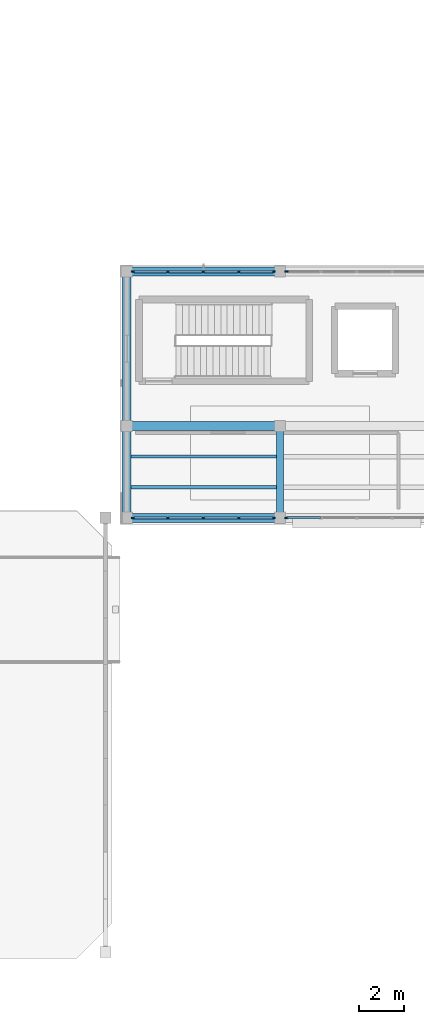
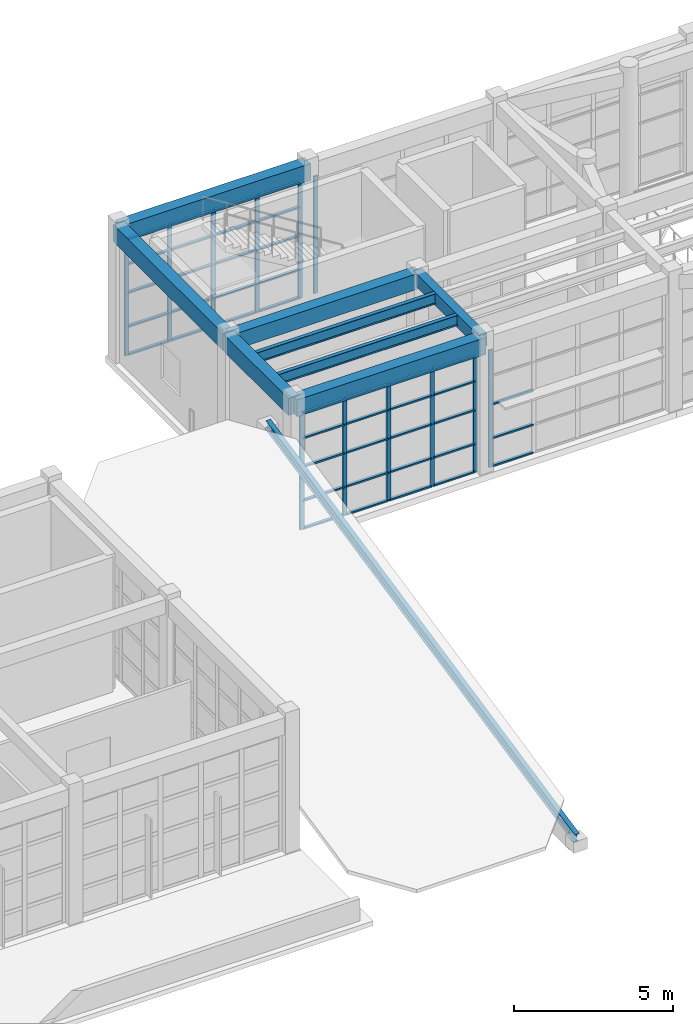
# One storey, part 15 of 103: 56 members, 8 beams, 4 elements without a shape of their own.
"""IFC4 building model written with IfcOpenShell, lengths in metres."""

import ifcopenshell
import ifcopenshell.guid

model = None  # the IFC model being written
_history = None  # IfcOwnerHistory: only IFC2X3 demands one
_inside = {}  # id of a spatial element -> (the spatial element, [elements in it])
_under = {}  # id of a project, library or spatial element -> (it, [spatial elements below it])
_declared = {}  # id of a project -> (the project, [libraries it declares])
_typed = {}  # id of a type object -> (the type object, [elements of that type])
_made_of = {}  # id of a material, layer set ... -> (it, [elements and type objects made of it])


def new_model(schema):
    """Start an empty IFC model of exactly this schema.

    Asked for "IFC4X3", IfcOpenShell would pick the latest addendum, in which some entities
    have other attributes; the version numbers below select the first issue.
    IFC2X3 requires an IfcOwnerHistory on every rooted entity: one is made here for all.
    """
    global model, _history
    if schema == "IFC4X3":
        model = ifcopenshell.file(schema_version=(4, 3, 0, 0))
    else:
        model = ifcopenshell.file(schema=schema)
    _inside.clear()
    _under.clear()
    _declared.clear()
    _typed.clear()
    _made_of.clear()
    _history = None
    if model.schema == "IFC2X3":
        org = make("IfcOrganization", Name="unknown")
        user = make(
            "IfcPersonAndOrganization",
            ThePerson=make("IfcPerson", FamilyName="unknown"),
            TheOrganization=org,
        )
        app = make(
            "IfcApplication",
            ApplicationDeveloper=org,
            Version="unknown",
            ApplicationFullName="unknown",
            ApplicationIdentifier="unknown",
        )
        _history = make(
            "IfcOwnerHistory",
            OwningUser=user,
            OwningApplication=app,
            ChangeAction="ADDED",
            CreationDate=0,
        )
    return model


def make(cls, **values):
    """One entity of the class cls with the attributes given. An attribute that is None is left unset."""
    return model.create_entity(
        cls, **{name: value for name, value in values.items() if value is not None}
    )


def rooted(cls, **values):
    """An entity with a GlobalId (a new one), such as an element, a storey or a relation."""
    return make(cls, GlobalId=ifcopenshell.guid.new(), OwnerHistory=_history, **values)


def si_unit(unit_type, name, prefix=None):
    """IfcSIUnit, for example si_unit("LENGTHUNIT", "METRE", prefix="MILLI")."""
    return make("IfcSIUnit", UnitType=unit_type, Prefix=prefix, Name=name)


def assignment(units):
    """IfcUnitAssignment: the units of a project."""
    return None if units is None else make("IfcUnitAssignment", Units=units)


def point(xyz):
    """IfcCartesianPoint."""
    return None if xyz is None else make("IfcCartesianPoint", Coordinates=xyz)


def direction(xyz):
    """IfcDirection."""
    return None if xyz is None else make("IfcDirection", DirectionRatios=xyz)


def frame(location, z_axis=None, x_axis=None):
    """IfcAxis2Placement3D, a coordinate frame: its origin and axes. An axis left out is left unset."""
    return make(
        "IfcAxis2Placement3D",
        Location=point(location),
        Axis=direction(z_axis),
        RefDirection=direction(x_axis),
    )


def frame_2d(location, x_axis=None):
    """IfcAxis2Placement2D, a coordinate frame in the plane: its origin and x axis."""
    return make(
        "IfcAxis2Placement2D", Location=point(location), RefDirection=direction(x_axis)
    )


def origin():
    """The frame at (0, 0, 0) with its axes left unset."""
    return frame((0.0, 0.0, 0.0))


def origin_2d():
    """The frame at (0, 0) in the plane with its x axis left unset."""
    return frame_2d((0.0, 0.0))


def place(relative_to, where):
    """IfcLocalPlacement: puts the frame where relative to a parent placement (None: the world)."""
    return make(
        "IfcLocalPlacement", PlacementRelTo=relative_to, RelativePlacement=where
    )


def context(
    kind, dimensions, precision=None, world=None, true_north=None, identifier=None
):
    """IfcGeometricRepresentationContext, for example the 3D "Model" context."""
    return make(
        "IfcGeometricRepresentationContext",
        ContextIdentifier=identifier,
        ContextType=kind,
        CoordinateSpaceDimension=dimensions,
        Precision=precision,
        WorldCoordinateSystem=world,
        TrueNorth=true_north,
    )


def subcontext(parent, identifier, kind, view, scale=None):
    """IfcGeometricRepresentationSubContext, for example "Body" below "Model"."""
    return make(
        "IfcGeometricRepresentationSubContext",
        ContextIdentifier=identifier,
        ContextType=kind,
        ParentContext=parent,
        TargetScale=scale,
        TargetView=view,
    )


def project(units=None, contexts=None):
    """IfcProject with its units and contexts."""
    return rooted(
        "IfcProject",
        Name="project",
        RepresentationContexts=contexts,
        UnitsInContext=assignment(units),
    )


def spatial(cls, under=None, at=None, **own):
    """A site, building, storey or space (cls), placed at a placement, below another one or the project."""
    s = rooted(cls, ObjectPlacement=at, **own)
    if under is not None:
        _under.setdefault(under.id(), (under, []))[1].append(s)
    return s


def profile(cls, at=None, kind="AREA", **sizes):
    """A parametric profile (cls). Its sizes go by their IFC names, for example OverallWidth=200.0."""
    return make(cls, ProfileType=kind, Position=at, **sizes)


def rectangle(**sizes):
    """IfcRectangleProfileDef."""
    return profile("IfcRectangleProfileDef", **sizes)


def i_section(**sizes):
    """IfcIShapeProfileDef."""
    return profile("IfcIShapeProfileDef", **sizes)


def extrude(swept, where, along, depth):
    """IfcExtrudedAreaSolid: the profile swept, set in the frame where, extruded along a direction by depth."""
    return make(
        "IfcExtrudedAreaSolid",
        SweptArea=swept,
        Position=where,
        ExtrudedDirection=direction(along),
        Depth=depth,
    )


def shape(context_of_items, identifier, shape_type, items):
    """IfcShapeRepresentation: the items that make up one representation, for example the "Body"."""
    return make(
        "IfcShapeRepresentation",
        ContextOfItems=context_of_items,
        RepresentationIdentifier=identifier,
        RepresentationType=shape_type,
        Items=items,
    )


def material(Name=None, Category=None):
    """IfcMaterial."""
    return make("IfcMaterial", Name=Name, Category=Category)


def layer(
    of_material, thickness, ventilated=None, Name=None, Category=None, Priority=None
):
    """IfcMaterialLayer: one layer of a wall or slab, of a material (None: an air gap)."""
    return make(
        "IfcMaterialLayer",
        Material=of_material,
        LayerThickness=thickness,
        IsVentilated=ventilated,
        Name=Name,
        Category=Category,
        Priority=Priority,
    )


def layer_set(layers, Name=None):
    """IfcMaterialLayerSet."""
    return make("IfcMaterialLayerSet", MaterialLayers=layers, LayerSetName=Name)


def material_profile(
    of_material, cross_section, Name=None, Category=None, Priority=None
):
    """IfcMaterialProfile: a cross section and its material."""
    return make(
        "IfcMaterialProfile",
        Name=Name,
        Material=of_material,
        Profile=cross_section,
        Priority=Priority,
        Category=Category,
    )


def profile_set(profiles, Name=None, composite=None):
    """IfcMaterialProfileSet."""
    return make(
        "IfcMaterialProfileSet",
        Name=Name,
        MaterialProfiles=profiles,
        CompositeProfile=composite,
    )


def made_of(thing, what):
    """Note that an element or type object is made of a material, layer set ...; save() writes the relation."""
    if what is not None:
        _made_of.setdefault(what.id(), (what, []))[1].append(thing)
    return thing


def type_object(cls, material=None, **own):
    """A type object (cls), such as IfcWallType, which elements share."""
    return made_of(rooted(cls, **own), material)


def element(
    cls,
    number,
    at=None,
    inside=None,
    cuts=None,
    type_object=None,
    material=None,
    context=None,
    identifier="Body",
    shape_type=None,
    held_by="IfcProductDefinitionShape",
    body=None,
    shapes=None,
    **own,
):
    """One element of the class cls, such as IfcWall. Its Tag is "e" and its number.

    at: its placement. inside: the storey or other place that contains it. cuts: it is an
    opening in that element (IfcRelVoidsElement). A single representation is given by context,
    identifier, shape_type and body (its items); several are given by shapes. held_by: the class
    of the entity that holds the representations. save() writes the other relations.
    """
    e = rooted(cls, Tag="e%d" % number, ObjectPlacement=at, **own)
    if body is not None:
        shapes = [shape(context, identifier, shape_type, body)]
    if shapes is not None:
        e.Representation = make(held_by, Representations=shapes)
    if inside is not None:
        _inside.setdefault(inside.id(), (inside, []))[1].append(e)
    if cuts is not None:
        rooted(
            "IfcRelVoidsElement", RelatingBuildingElement=cuts, RelatedOpeningElement=e
        )
    if type_object is not None:
        _typed.setdefault(type_object.id(), (type_object, []))[1].append(e)
    return made_of(e, material)


def aggregate(whole, parts):
    """IfcRelAggregates: a whole, such as a stair, and the parts it consists of."""
    return rooted("IfcRelAggregates", RelatingObject=whole, RelatedObjects=parts)


def save(model, path):
    """Write the relations noted so far, then the file.

    IfcRelAggregates (storeys below a building ...), IfcRelContainedInSpatialStructure (elements
    in a storey), IfcRelDefinesByType, IfcRelAssociatesMaterial and IfcRelDeclares: one each for
    every whole, place, type object, material and project.
    """
    for whole, parts in _under.values():
        aggregate(whole, parts)
    for where, things in _inside.values():
        rooted(
            "IfcRelContainedInSpatialStructure",
            RelatedElements=things,
            RelatingStructure=where,
        )
    for kind, things in _typed.values():
        rooted("IfcRelDefinesByType", RelatedObjects=things, RelatingType=kind)
    for what, things in _made_of.values():
        rooted("IfcRelAssociatesMaterial", RelatedObjects=things, RelatingMaterial=what)
    for by, libraries in _declared.values():
        rooted("IfcRelDeclares", RelatingContext=by, RelatedDefinitions=libraries)
    model.write(path)


model = new_model("IFC4")

# Units and contexts
model_context = context("Model", 3, precision=1e-05, world=origin(), true_north=direction((0.0, 1.0)))
body_context = subcontext(model_context, "Body", "Model", "MODEL_VIEW")
ifc_project = project(units=[si_unit("LENGTHUNIT", "METRE"), si_unit("AREAUNIT", "SQUARE_METRE"), si_unit("VOLUMEUNIT", "CUBIC_METRE"), si_unit("PLANEANGLEUNIT", "RADIAN"), si_unit("MASSUNIT", "GRAM", prefix="KILO")], contexts=[model_context])

# Site, building, storey
site_placement = place(None, origin())
site = spatial("IfcSite", under=ifc_project, at=site_placement, CompositionType="ELEMENT")
building_placement = place(site_placement, origin())
building = spatial("IfcBuilding", under=site, at=building_placement, Name="Candilejo Ridge Gondola Terminal", CompositionType="ELEMENT")
storey_placement = place(building_placement, frame((0.0, 0.0, 9.0)))
storey = spatial("IfcBuildingStorey", under=building, at=storey_placement, Name="L02", CompositionType="ELEMENT", Elevation=9.0)

# Curtain wall, members
ifc_material_1 = material(Name="Anodised aluminium AA 6063-T6", Category="aluminium")
ifc_layer = layer(ifc_material_1, 0.169921875)
ifc_layer_set = layer_set([ifc_layer], Name="ARC-CW-DRUM-3400-635X449")
curtain_wall_type = type_object("IfcCurtainWallType", Name="ARC-CW-DRUM-3400-635X449", PredefinedType="NOTDEFINED", material=ifc_layer_set)
curtain_wall_1_placement = place(storey_placement, origin())
curtain_wall_1 = element("IfcCurtainWall", 1, at=curtain_wall_1_placement, inside=storey, type_object=curtain_wall_type, Name="Curtain wall V2 L02-046", PredefinedType="NOTDEFINED")
ifc_material_2 = material(Name="Anodised aluminium AA 6063-T6", Category="aluminium")
ifc_material_profile_1 = material_profile(ifc_material_2, rectangle(XDim=0.06494140625, YDim=0.14990234375, at=origin_2d()))
ifc_profile_set_1 = profile_set([ifc_material_profile_1], Name="Anodised aluminium AA 6063-T6")
member_type_1 = type_object("IfcMemberType", Name="ARC-CW-MULLION-150", PredefinedType="MULLION", material=ifc_profile_set_1)
member_1_placement = place(storey_placement, frame((44.9326171875, 36.699951171875, 0.0), z_axis=(0.0, 0.0, 1.0), x_axis=(0.0, 1.0, 0.0)))
member_1 = element("IfcMember", 2, at=member_1_placement, type_object=member_type_1, Name="CW-63X44 mullion 1", PredefinedType="MULLION", context=body_context, shape_type="SweptSolid", body=[
    extrude(rectangle(XDim=0.06494140625, YDim=0.14990234375, at=origin_2d()), origin(), (0.0, 0.0, 1.0), 4.489990234375),
])
member_2_placement = place(storey_placement, frame((46.487548828125, 36.699951171875, 0.0), z_axis=(0.0, 0.0, 1.0), x_axis=(0.0, 1.0, 0.0)))
member_2 = element("IfcMember", 3, at=member_2_placement, type_object=member_type_1, Name="CW-63X44 mullion 2", PredefinedType="MULLION", context=body_context, shape_type="SweptSolid", body=[
    extrude(rectangle(XDim=0.06494140625, YDim=0.14990234375, at=origin_2d()), origin(), (0.0, 0.0, 1.0), 4.489990234375),
])
member_3_placement = place(storey_placement, frame((48.074951171875, 36.699951171875, 0.0), z_axis=(0.0, 0.0, 1.0), x_axis=(0.0, 1.0, 0.0)))
member_3 = element("IfcMember", 4, at=member_3_placement, type_object=member_type_1, Name="CW-63X44 mullion 3", PredefinedType="MULLION", context=body_context, shape_type="SweptSolid", body=[
    extrude(rectangle(XDim=0.06494140625, YDim=0.14990234375, at=origin_2d()), origin(), (0.0, 0.0, 1.0), 4.489990234375),
])
member_4_placement = place(storey_placement, frame((49.66259765625, 36.699951171875, 0.0), z_axis=(0.0, 0.0, 1.0), x_axis=(0.0, 1.0, 0.0)))
member_4 = element("IfcMember", 5, at=member_4_placement, type_object=member_type_1, Name="CW-63X44 mullion 4", PredefinedType="MULLION", context=body_context, shape_type="SweptSolid", body=[
    extrude(rectangle(XDim=0.06494140625, YDim=0.14990234375, at=origin_2d()), origin(), (0.0, 0.0, 1.0), 4.489990234375),
])
member_5_placement = place(storey_placement, frame((51.217529296875, 36.699951171875, 0.0), z_axis=(0.0, 0.0, 1.0), x_axis=(0.0, 1.0, 0.0)))
member_5 = element("IfcMember", 6, at=member_5_placement, type_object=member_type_1, Name="CW-63X44 mullion 5", PredefinedType="MULLION", context=body_context, shape_type="SweptSolid", body=[
    extrude(rectangle(XDim=0.06494140625, YDim=0.14990234375, at=origin_2d()), origin(), (0.0, 0.0, 1.0), 4.489990234375),
])

curtain_wall_2_placement = place(storey_placement, origin())
curtain_wall_2 = element("IfcCurtainWall", 7, at=curtain_wall_2_placement, inside=storey, type_object=curtain_wall_type, Name="Curtain wall V2 L02-047", PredefinedType="NOTDEFINED")
member_6_placement = place(storey_placement, frame((44.9326171875, 25.699951171875, 0.0), z_axis=(0.0, 0.0, 1.0), x_axis=(0.0, 1.0, 0.0)))
member_6 = element("IfcMember", 8, at=member_6_placement, type_object=member_type_1, Name="CW-63X44 mullion 1", PredefinedType="MULLION", context=body_context, shape_type="SweptSolid", body=[
    extrude(rectangle(XDim=0.06494140625, YDim=0.14990234375, at=origin_2d()), origin(), (0.0, 0.0, 1.0), 4.489990234375),
])
member_7_placement = place(storey_placement, frame((46.487548828125, 25.699951171875, 0.0), z_axis=(0.0, 0.0, 1.0), x_axis=(0.0, 1.0, 0.0)))
member_7 = element("IfcMember", 9, at=member_7_placement, type_object=member_type_1, Name="CW-63X44 mullion 2", PredefinedType="MULLION", context=body_context, shape_type="SweptSolid", body=[
    extrude(rectangle(XDim=0.06494140625, YDim=0.14990234375, at=origin_2d()), origin(), (0.0, 0.0, 1.0), 4.489990234375),
])
member_8_placement = place(storey_placement, frame((48.074951171875, 25.699951171875, 0.0), z_axis=(0.0, 0.0, 1.0), x_axis=(0.0, 1.0, 0.0)))
member_8 = element("IfcMember", 10, at=member_8_placement, type_object=member_type_1, Name="CW-63X44 mullion 3", PredefinedType="MULLION", context=body_context, shape_type="SweptSolid", body=[
    extrude(rectangle(XDim=0.06494140625, YDim=0.14990234375, at=origin_2d()), origin(), (0.0, 0.0, 1.0), 4.489990234375),
])
member_9_placement = place(storey_placement, frame((49.66259765625, 25.699951171875, 0.0), z_axis=(0.0, 0.0, 1.0), x_axis=(0.0, 1.0, 0.0)))
member_9 = element("IfcMember", 11, at=member_9_placement, type_object=member_type_1, Name="CW-63X44 mullion 4", PredefinedType="MULLION", context=body_context, shape_type="SweptSolid", body=[
    extrude(rectangle(XDim=0.06494140625, YDim=0.14990234375, at=origin_2d()), origin(), (0.0, 0.0, 1.0), 4.489990234375),
])
member_10_placement = place(storey_placement, frame((51.217529296875, 25.699951171875, 0.0), z_axis=(0.0, 0.0, 1.0), x_axis=(0.0, 1.0, 0.0)))
member_10 = element("IfcMember", 12, at=member_10_placement, type_object=member_type_1, Name="CW-63X44 mullion 5", PredefinedType="MULLION", context=body_context, shape_type="SweptSolid", body=[
    extrude(rectangle(XDim=0.06494140625, YDim=0.14990234375, at=origin_2d()), origin(), (0.0, 0.0, 1.0), 4.489990234375),
])

# Curtain wall, member
curtain_wall_3_placement = place(storey_placement, origin())
curtain_wall_3 = element("IfcCurtainWall", 13, at=curtain_wall_3_placement, inside=storey, type_object=curtain_wall_type, Name="Curtain wall V2 L02-048", PredefinedType="NOTDEFINED")
member_11_placement = place(storey_placement, frame((51.782470703125, 36.699951171875, 0.0), z_axis=(0.0, 0.0, 1.0), x_axis=(0.0, 1.0, 0.0)))
member_11 = element("IfcMember", 14, at=member_11_placement, type_object=member_type_1, Name="CW-63X44 mullion 1", PredefinedType="MULLION", context=body_context, shape_type="SweptSolid", body=[
    extrude(rectangle(XDim=0.06494140625, YDim=0.14990234375, at=origin_2d()), origin(), (0.0, 0.0, 1.0), 4.489990234375),
])
aggregate(curtain_wall_3, [member_11])

curtain_wall_4_placement = place(storey_placement, origin())
curtain_wall_4 = element("IfcCurtainWall", 15, at=curtain_wall_4_placement, inside=storey, type_object=curtain_wall_type, Name="Curtain wall V2 L02-049", PredefinedType="NOTDEFINED")
member_12_placement = place(storey_placement, frame((51.782470703125, 25.699951171875, 0.0), z_axis=(0.0, 0.0, 1.0), x_axis=(0.0, 1.0, 0.0)))
member_12 = element("IfcMember", 16, at=member_12_placement, type_object=member_type_1, Name="CW-63X44 mullion 1", PredefinedType="MULLION", context=body_context, shape_type="SweptSolid", body=[
    extrude(rectangle(XDim=0.06494140625, YDim=0.14990234375, at=origin_2d()), origin(), (0.0, 0.0, 1.0), 4.489990234375),
])

# Member
ifc_material_3 = material(Name="Anodised aluminium AA 6063-T6", Category="aluminium")
ifc_material_profile_2 = material_profile(ifc_material_3, rectangle(XDim=0.110107421875, YDim=0.06005859375, at=origin_2d()))
ifc_profile_set_2 = profile_set([ifc_material_profile_2], Name="Anodised aluminium AA 6063-T6")
member_type_2 = type_object("IfcMemberType", Name="ARC-CW-TRANSOM-110", PredefinedType="USERDEFINED", material=ifc_profile_set_2)
member_13_placement = place(storey_placement, frame((44.965087890625, 36.699951171875, 0.030029296875), z_axis=(1.0, 0.0, 0.0), x_axis=(0.0, 1.0, 0.0)))
member_13 = element("IfcMember", 17, at=member_13_placement, type_object=member_type_2, Name="CW-63X44 transom 1.1", ObjectType="TRANSOM", PredefinedType="USERDEFINED", context=body_context, shape_type="SweptSolid", body=[
    extrude(rectangle(XDim=0.110107421875, YDim=0.06005859375, at=origin_2d()), origin(), (0.0, 0.0, 1.0), 1.489990234375),
])

member_14_placement = place(storey_placement, frame((44.965087890625, 36.699951171875, 1.10009765625), z_axis=(1.0, 0.0, 0.0), x_axis=(0.0, 1.0, 0.0)))
member_14 = element("IfcMember", 18, at=member_14_placement, type_object=member_type_2, Name="CW-63X44 transom 1.2", ObjectType="TRANSOM", PredefinedType="USERDEFINED", context=body_context, shape_type="SweptSolid", body=[
    extrude(rectangle(XDim=0.110107421875, YDim=0.06005859375, at=origin_2d()), origin(), (0.0, 0.0, 1.0), 1.489990234375),
])

member_15_placement = place(storey_placement, frame((44.965087890625, 36.699951171875, 2.39990234375), z_axis=(1.0, 0.0, 0.0), x_axis=(0.0, 1.0, 0.0)))
member_15 = element("IfcMember", 19, at=member_15_placement, type_object=member_type_2, Name="CW-63X44 transom 1.3", ObjectType="TRANSOM", PredefinedType="USERDEFINED", context=body_context, shape_type="SweptSolid", body=[
    extrude(rectangle(XDim=0.110107421875, YDim=0.06005859375, at=origin_2d()), origin(), (0.0, 0.0, 1.0), 1.489990234375),
])

member_16_placement = place(storey_placement, frame((44.965087890625, 36.699951171875, 3.5), z_axis=(1.0, 0.0, 0.0), x_axis=(0.0, 1.0, 0.0)))
member_16 = element("IfcMember", 20, at=member_16_placement, type_object=member_type_2, Name="CW-63X44 transom 1.4", ObjectType="TRANSOM", PredefinedType="USERDEFINED", context=body_context, shape_type="SweptSolid", body=[
    extrude(rectangle(XDim=0.110107421875, YDim=0.06005859375, at=origin_2d()), origin(), (0.0, 0.0, 1.0), 1.489990234375),
])

member_17_placement = place(storey_placement, frame((44.965087890625, 36.699951171875, 4.4599609375), z_axis=(1.0, 0.0, 0.0), x_axis=(0.0, 1.0, 0.0)))
member_17 = element("IfcMember", 21, at=member_17_placement, type_object=member_type_2, Name="CW-63X44 transom 1.5", ObjectType="TRANSOM", PredefinedType="USERDEFINED", context=body_context, shape_type="SweptSolid", body=[
    extrude(rectangle(XDim=0.110107421875, YDim=0.06005859375, at=origin_2d()), origin(), (0.0, 0.0, 1.0), 1.489990234375),
])

member_18_placement = place(storey_placement, frame((46.52001953125, 36.699951171875, 0.030029296875), z_axis=(1.0, 0.0, 0.0), x_axis=(0.0, 1.0, 0.0)))
member_18 = element("IfcMember", 22, at=member_18_placement, type_object=member_type_2, Name="CW-63X44 transom 2.1", ObjectType="TRANSOM", PredefinedType="USERDEFINED", context=body_context, shape_type="SweptSolid", body=[
    extrude(rectangle(XDim=0.110107421875, YDim=0.06005859375, at=origin_2d()), origin(), (0.0, 0.0, 1.0), 1.5224609375),
])

member_19_placement = place(storey_placement, frame((46.52001953125, 36.699951171875, 1.10009765625), z_axis=(1.0, 0.0, 0.0), x_axis=(0.0, 1.0, 0.0)))
member_19 = element("IfcMember", 23, at=member_19_placement, type_object=member_type_2, Name="CW-63X44 transom 2.2", ObjectType="TRANSOM", PredefinedType="USERDEFINED", context=body_context, shape_type="SweptSolid", body=[
    extrude(rectangle(XDim=0.110107421875, YDim=0.06005859375, at=origin_2d()), origin(), (0.0, 0.0, 1.0), 1.5224609375),
])

member_20_placement = place(storey_placement, frame((46.52001953125, 36.699951171875, 2.39990234375), z_axis=(1.0, 0.0, 0.0), x_axis=(0.0, 1.0, 0.0)))
member_20 = element("IfcMember", 24, at=member_20_placement, type_object=member_type_2, Name="CW-63X44 transom 2.3", ObjectType="TRANSOM", PredefinedType="USERDEFINED", context=body_context, shape_type="SweptSolid", body=[
    extrude(rectangle(XDim=0.110107421875, YDim=0.06005859375, at=origin_2d()), origin(), (0.0, 0.0, 1.0), 1.5224609375),
])

member_21_placement = place(storey_placement, frame((46.52001953125, 36.699951171875, 3.5), z_axis=(1.0, 0.0, 0.0), x_axis=(0.0, 1.0, 0.0)))
member_21 = element("IfcMember", 25, at=member_21_placement, type_object=member_type_2, Name="CW-63X44 transom 2.4", ObjectType="TRANSOM", PredefinedType="USERDEFINED", context=body_context, shape_type="SweptSolid", body=[
    extrude(rectangle(XDim=0.110107421875, YDim=0.06005859375, at=origin_2d()), origin(), (0.0, 0.0, 1.0), 1.5224609375),
])

member_22_placement = place(storey_placement, frame((46.52001953125, 36.699951171875, 4.4599609375), z_axis=(1.0, 0.0, 0.0), x_axis=(0.0, 1.0, 0.0)))
member_22 = element("IfcMember", 26, at=member_22_placement, type_object=member_type_2, Name="CW-63X44 transom 2.5", ObjectType="TRANSOM", PredefinedType="USERDEFINED", context=body_context, shape_type="SweptSolid", body=[
    extrude(rectangle(XDim=0.110107421875, YDim=0.06005859375, at=origin_2d()), origin(), (0.0, 0.0, 1.0), 1.5224609375),
])

member_23_placement = place(storey_placement, frame((48.107421875, 36.699951171875, 0.030029296875), z_axis=(1.0, 0.0, 0.0), x_axis=(0.0, 1.0, 0.0)))
member_23 = element("IfcMember", 27, at=member_23_placement, type_object=member_type_2, Name="CW-63X44 transom 3.1", ObjectType="TRANSOM", PredefinedType="USERDEFINED", context=body_context, shape_type="SweptSolid", body=[
    extrude(rectangle(XDim=0.110107421875, YDim=0.06005859375, at=origin_2d()), origin(), (0.0, 0.0, 1.0), 1.5224609375),
])

member_24_placement = place(storey_placement, frame((48.107421875, 36.699951171875, 1.10009765625), z_axis=(1.0, 0.0, 0.0), x_axis=(0.0, 1.0, 0.0)))
member_24 = element("IfcMember", 28, at=member_24_placement, type_object=member_type_2, Name="CW-63X44 transom 3.2", ObjectType="TRANSOM", PredefinedType="USERDEFINED", context=body_context, shape_type="SweptSolid", body=[
    extrude(rectangle(XDim=0.110107421875, YDim=0.06005859375, at=origin_2d()), origin(), (0.0, 0.0, 1.0), 1.5224609375),
])

member_25_placement = place(storey_placement, frame((48.107421875, 36.699951171875, 2.39990234375), z_axis=(1.0, 0.0, 0.0), x_axis=(0.0, 1.0, 0.0)))
member_25 = element("IfcMember", 29, at=member_25_placement, type_object=member_type_2, Name="CW-63X44 transom 3.3", ObjectType="TRANSOM", PredefinedType="USERDEFINED", context=body_context, shape_type="SweptSolid", body=[
    extrude(rectangle(XDim=0.110107421875, YDim=0.06005859375, at=origin_2d()), origin(), (0.0, 0.0, 1.0), 1.5224609375),
])

member_26_placement = place(storey_placement, frame((48.107421875, 36.699951171875, 3.5), z_axis=(1.0, 0.0, 0.0), x_axis=(0.0, 1.0, 0.0)))
member_26 = element("IfcMember", 30, at=member_26_placement, type_object=member_type_2, Name="CW-63X44 transom 3.4", ObjectType="TRANSOM", PredefinedType="USERDEFINED", context=body_context, shape_type="SweptSolid", body=[
    extrude(rectangle(XDim=0.110107421875, YDim=0.06005859375, at=origin_2d()), origin(), (0.0, 0.0, 1.0), 1.5224609375),
])

member_27_placement = place(storey_placement, frame((48.107421875, 36.699951171875, 4.4599609375), z_axis=(1.0, 0.0, 0.0), x_axis=(0.0, 1.0, 0.0)))
member_27 = element("IfcMember", 31, at=member_27_placement, type_object=member_type_2, Name="CW-63X44 transom 3.5", ObjectType="TRANSOM", PredefinedType="USERDEFINED", context=body_context, shape_type="SweptSolid", body=[
    extrude(rectangle(XDim=0.110107421875, YDim=0.06005859375, at=origin_2d()), origin(), (0.0, 0.0, 1.0), 1.5224609375),
])

member_28_placement = place(storey_placement, frame((49.695068359375, 36.699951171875, 0.030029296875), z_axis=(1.0, 0.0, 0.0), x_axis=(0.0, 1.0, 0.0)))
member_28 = element("IfcMember", 32, at=member_28_placement, type_object=member_type_2, Name="CW-63X44 transom 4.1", ObjectType="TRANSOM", PredefinedType="USERDEFINED", context=body_context, shape_type="SweptSolid", body=[
    extrude(rectangle(XDim=0.110107421875, YDim=0.06005859375, at=origin_2d()), origin(), (0.0, 0.0, 1.0), 1.489990234375),
])

member_29_placement = place(storey_placement, frame((49.695068359375, 36.699951171875, 1.10009765625), z_axis=(1.0, 0.0, 0.0), x_axis=(0.0, 1.0, 0.0)))
member_29 = element("IfcMember", 33, at=member_29_placement, type_object=member_type_2, Name="CW-63X44 transom 4.2", ObjectType="TRANSOM", PredefinedType="USERDEFINED", context=body_context, shape_type="SweptSolid", body=[
    extrude(rectangle(XDim=0.110107421875, YDim=0.06005859375, at=origin_2d()), origin(), (0.0, 0.0, 1.0), 1.489990234375),
])

member_30_placement = place(storey_placement, frame((49.695068359375, 36.699951171875, 2.39990234375), z_axis=(1.0, 0.0, 0.0), x_axis=(0.0, 1.0, 0.0)))
member_30 = element("IfcMember", 34, at=member_30_placement, type_object=member_type_2, Name="CW-63X44 transom 4.3", ObjectType="TRANSOM", PredefinedType="USERDEFINED", context=body_context, shape_type="SweptSolid", body=[
    extrude(rectangle(XDim=0.110107421875, YDim=0.06005859375, at=origin_2d()), origin(), (0.0, 0.0, 1.0), 1.489990234375),
])

member_31_placement = place(storey_placement, frame((49.695068359375, 36.699951171875, 3.5), z_axis=(1.0, 0.0, 0.0), x_axis=(0.0, 1.0, 0.0)))
member_31 = element("IfcMember", 35, at=member_31_placement, type_object=member_type_2, Name="CW-63X44 transom 4.4", ObjectType="TRANSOM", PredefinedType="USERDEFINED", context=body_context, shape_type="SweptSolid", body=[
    extrude(rectangle(XDim=0.110107421875, YDim=0.06005859375, at=origin_2d()), origin(), (0.0, 0.0, 1.0), 1.489990234375),
])

member_32_placement = place(storey_placement, frame((49.695068359375, 36.699951171875, 4.4599609375), z_axis=(1.0, 0.0, 0.0), x_axis=(0.0, 1.0, 0.0)))
member_32 = element("IfcMember", 36, at=member_32_placement, type_object=member_type_2, Name="CW-63X44 transom 4.5", ObjectType="TRANSOM", PredefinedType="USERDEFINED", context=body_context, shape_type="SweptSolid", body=[
    extrude(rectangle(XDim=0.110107421875, YDim=0.06005859375, at=origin_2d()), origin(), (0.0, 0.0, 1.0), 1.489990234375),
])

aggregate(curtain_wall_1, [member_1, member_2, member_3, member_4, member_5, member_13, member_14, member_15, member_16, member_17, member_18, member_19, member_20, member_21, member_22, member_23, member_24, member_25, member_26, member_27, member_28, member_29, member_30, member_31, member_32])

member_33_placement = place(storey_placement, frame((44.965087890625, 25.699951171875, 0.030029296875), z_axis=(1.0, 0.0, 0.0), x_axis=(0.0, 1.0, 0.0)))
member_33 = element("IfcMember", 37, at=member_33_placement, type_object=member_type_2, Name="CW-63X44 transom 1.1", ObjectType="TRANSOM", PredefinedType="USERDEFINED", context=body_context, shape_type="SweptSolid", body=[
    extrude(rectangle(XDim=0.110107421875, YDim=0.06005859375, at=origin_2d()), origin(), (0.0, 0.0, 1.0), 1.489990234375),
])

member_34_placement = place(storey_placement, frame((44.965087890625, 25.699951171875, 1.10009765625), z_axis=(1.0, 0.0, 0.0), x_axis=(0.0, 1.0, 0.0)))
member_34 = element("IfcMember", 38, at=member_34_placement, type_object=member_type_2, Name="CW-63X44 transom 1.2", ObjectType="TRANSOM", PredefinedType="USERDEFINED", context=body_context, shape_type="SweptSolid", body=[
    extrude(rectangle(XDim=0.110107421875, YDim=0.06005859375, at=origin_2d()), origin(), (0.0, 0.0, 1.0), 1.489990234375),
])

member_35_placement = place(storey_placement, frame((44.965087890625, 25.699951171875, 2.39990234375), z_axis=(1.0, 0.0, 0.0), x_axis=(0.0, 1.0, 0.0)))
member_35 = element("IfcMember", 39, at=member_35_placement, type_object=member_type_2, Name="CW-63X44 transom 1.3", ObjectType="TRANSOM", PredefinedType="USERDEFINED", context=body_context, shape_type="SweptSolid", body=[
    extrude(rectangle(XDim=0.110107421875, YDim=0.06005859375, at=origin_2d()), origin(), (0.0, 0.0, 1.0), 1.489990234375),
])

member_36_placement = place(storey_placement, frame((44.965087890625, 25.699951171875, 3.5), z_axis=(1.0, 0.0, 0.0), x_axis=(0.0, 1.0, 0.0)))
member_36 = element("IfcMember", 40, at=member_36_placement, type_object=member_type_2, Name="CW-63X44 transom 1.4", ObjectType="TRANSOM", PredefinedType="USERDEFINED", context=body_context, shape_type="SweptSolid", body=[
    extrude(rectangle(XDim=0.110107421875, YDim=0.06005859375, at=origin_2d()), origin(), (0.0, 0.0, 1.0), 1.489990234375),
])

member_37_placement = place(storey_placement, frame((44.965087890625, 25.699951171875, 4.4599609375), z_axis=(1.0, 0.0, 0.0), x_axis=(0.0, 1.0, 0.0)))
member_37 = element("IfcMember", 41, at=member_37_placement, type_object=member_type_2, Name="CW-63X44 transom 1.5", ObjectType="TRANSOM", PredefinedType="USERDEFINED", context=body_context, shape_type="SweptSolid", body=[
    extrude(rectangle(XDim=0.110107421875, YDim=0.06005859375, at=origin_2d()), origin(), (0.0, 0.0, 1.0), 1.489990234375),
])

member_38_placement = place(storey_placement, frame((46.52001953125, 25.699951171875, 0.030029296875), z_axis=(1.0, 0.0, 0.0), x_axis=(0.0, 1.0, 0.0)))
member_38 = element("IfcMember", 42, at=member_38_placement, type_object=member_type_2, Name="CW-63X44 transom 2.1", ObjectType="TRANSOM", PredefinedType="USERDEFINED", context=body_context, shape_type="SweptSolid", body=[
    extrude(rectangle(XDim=0.110107421875, YDim=0.06005859375, at=origin_2d()), origin(), (0.0, 0.0, 1.0), 1.5224609375),
])

member_39_placement = place(storey_placement, frame((46.52001953125, 25.699951171875, 1.10009765625), z_axis=(1.0, 0.0, 0.0), x_axis=(0.0, 1.0, 0.0)))
member_39 = element("IfcMember", 43, at=member_39_placement, type_object=member_type_2, Name="CW-63X44 transom 2.2", ObjectType="TRANSOM", PredefinedType="USERDEFINED", context=body_context, shape_type="SweptSolid", body=[
    extrude(rectangle(XDim=0.110107421875, YDim=0.06005859375, at=origin_2d()), origin(), (0.0, 0.0, 1.0), 1.5224609375),
])

member_40_placement = place(storey_placement, frame((46.52001953125, 25.699951171875, 2.39990234375), z_axis=(1.0, 0.0, 0.0), x_axis=(0.0, 1.0, 0.0)))
member_40 = element("IfcMember", 44, at=member_40_placement, type_object=member_type_2, Name="CW-63X44 transom 2.3", ObjectType="TRANSOM", PredefinedType="USERDEFINED", context=body_context, shape_type="SweptSolid", body=[
    extrude(rectangle(XDim=0.110107421875, YDim=0.06005859375, at=origin_2d()), origin(), (0.0, 0.0, 1.0), 1.5224609375),
])

member_41_placement = place(storey_placement, frame((46.52001953125, 25.699951171875, 3.5), z_axis=(1.0, 0.0, 0.0), x_axis=(0.0, 1.0, 0.0)))
member_41 = element("IfcMember", 45, at=member_41_placement, type_object=member_type_2, Name="CW-63X44 transom 2.4", ObjectType="TRANSOM", PredefinedType="USERDEFINED", context=body_context, shape_type="SweptSolid", body=[
    extrude(rectangle(XDim=0.110107421875, YDim=0.06005859375, at=origin_2d()), origin(), (0.0, 0.0, 1.0), 1.5224609375),
])

member_42_placement = place(storey_placement, frame((46.52001953125, 25.699951171875, 4.4599609375), z_axis=(1.0, 0.0, 0.0), x_axis=(0.0, 1.0, 0.0)))
member_42 = element("IfcMember", 46, at=member_42_placement, type_object=member_type_2, Name="CW-63X44 transom 2.5", ObjectType="TRANSOM", PredefinedType="USERDEFINED", context=body_context, shape_type="SweptSolid", body=[
    extrude(rectangle(XDim=0.110107421875, YDim=0.06005859375, at=origin_2d()), origin(), (0.0, 0.0, 1.0), 1.5224609375),
])

member_43_placement = place(storey_placement, frame((48.107421875, 25.699951171875, 0.030029296875), z_axis=(1.0, 0.0, 0.0), x_axis=(0.0, 1.0, 0.0)))
member_43 = element("IfcMember", 47, at=member_43_placement, type_object=member_type_2, Name="CW-63X44 transom 3.1", ObjectType="TRANSOM", PredefinedType="USERDEFINED", context=body_context, shape_type="SweptSolid", body=[
    extrude(rectangle(XDim=0.110107421875, YDim=0.06005859375, at=origin_2d()), origin(), (0.0, 0.0, 1.0), 1.5224609375),
])

member_44_placement = place(storey_placement, frame((48.107421875, 25.699951171875, 1.10009765625), z_axis=(1.0, 0.0, 0.0), x_axis=(0.0, 1.0, 0.0)))
member_44 = element("IfcMember", 48, at=member_44_placement, type_object=member_type_2, Name="CW-63X44 transom 3.2", ObjectType="TRANSOM", PredefinedType="USERDEFINED", context=body_context, shape_type="SweptSolid", body=[
    extrude(rectangle(XDim=0.110107421875, YDim=0.06005859375, at=origin_2d()), origin(), (0.0, 0.0, 1.0), 1.5224609375),
])

member_45_placement = place(storey_placement, frame((48.107421875, 25.699951171875, 2.39990234375), z_axis=(1.0, 0.0, 0.0), x_axis=(0.0, 1.0, 0.0)))
member_45 = element("IfcMember", 49, at=member_45_placement, type_object=member_type_2, Name="CW-63X44 transom 3.3", ObjectType="TRANSOM", PredefinedType="USERDEFINED", context=body_context, shape_type="SweptSolid", body=[
    extrude(rectangle(XDim=0.110107421875, YDim=0.06005859375, at=origin_2d()), origin(), (0.0, 0.0, 1.0), 1.5224609375),
])

member_46_placement = place(storey_placement, frame((48.107421875, 25.699951171875, 3.5), z_axis=(1.0, 0.0, 0.0), x_axis=(0.0, 1.0, 0.0)))
member_46 = element("IfcMember", 50, at=member_46_placement, type_object=member_type_2, Name="CW-63X44 transom 3.4", ObjectType="TRANSOM", PredefinedType="USERDEFINED", context=body_context, shape_type="SweptSolid", body=[
    extrude(rectangle(XDim=0.110107421875, YDim=0.06005859375, at=origin_2d()), origin(), (0.0, 0.0, 1.0), 1.5224609375),
])

member_47_placement = place(storey_placement, frame((48.107421875, 25.699951171875, 4.4599609375), z_axis=(1.0, 0.0, 0.0), x_axis=(0.0, 1.0, 0.0)))
member_47 = element("IfcMember", 51, at=member_47_placement, type_object=member_type_2, Name="CW-63X44 transom 3.5", ObjectType="TRANSOM", PredefinedType="USERDEFINED", context=body_context, shape_type="SweptSolid", body=[
    extrude(rectangle(XDim=0.110107421875, YDim=0.06005859375, at=origin_2d()), origin(), (0.0, 0.0, 1.0), 1.5224609375),
])

member_48_placement = place(storey_placement, frame((49.695068359375, 25.699951171875, 0.030029296875), z_axis=(1.0, 0.0, 0.0), x_axis=(0.0, 1.0, 0.0)))
member_48 = element("IfcMember", 52, at=member_48_placement, type_object=member_type_2, Name="CW-63X44 transom 4.1", ObjectType="TRANSOM", PredefinedType="USERDEFINED", context=body_context, shape_type="SweptSolid", body=[
    extrude(rectangle(XDim=0.110107421875, YDim=0.06005859375, at=origin_2d()), origin(), (0.0, 0.0, 1.0), 1.489990234375),
])

member_49_placement = place(storey_placement, frame((49.695068359375, 25.699951171875, 1.10009765625), z_axis=(1.0, 0.0, 0.0), x_axis=(0.0, 1.0, 0.0)))
member_49 = element("IfcMember", 53, at=member_49_placement, type_object=member_type_2, Name="CW-63X44 transom 4.2", ObjectType="TRANSOM", PredefinedType="USERDEFINED", context=body_context, shape_type="SweptSolid", body=[
    extrude(rectangle(XDim=0.110107421875, YDim=0.06005859375, at=origin_2d()), origin(), (0.0, 0.0, 1.0), 1.489990234375),
])

member_50_placement = place(storey_placement, frame((49.695068359375, 25.699951171875, 2.39990234375), z_axis=(1.0, 0.0, 0.0), x_axis=(0.0, 1.0, 0.0)))
member_50 = element("IfcMember", 54, at=member_50_placement, type_object=member_type_2, Name="CW-63X44 transom 4.3", ObjectType="TRANSOM", PredefinedType="USERDEFINED", context=body_context, shape_type="SweptSolid", body=[
    extrude(rectangle(XDim=0.110107421875, YDim=0.06005859375, at=origin_2d()), origin(), (0.0, 0.0, 1.0), 1.489990234375),
])

member_51_placement = place(storey_placement, frame((49.695068359375, 25.699951171875, 3.5), z_axis=(1.0, 0.0, 0.0), x_axis=(0.0, 1.0, 0.0)))
member_51 = element("IfcMember", 55, at=member_51_placement, type_object=member_type_2, Name="CW-63X44 transom 4.4", ObjectType="TRANSOM", PredefinedType="USERDEFINED", context=body_context, shape_type="SweptSolid", body=[
    extrude(rectangle(XDim=0.110107421875, YDim=0.06005859375, at=origin_2d()), origin(), (0.0, 0.0, 1.0), 1.489990234375),
])

member_52_placement = place(storey_placement, frame((49.695068359375, 25.699951171875, 4.4599609375), z_axis=(1.0, 0.0, 0.0), x_axis=(0.0, 1.0, 0.0)))
member_52 = element("IfcMember", 56, at=member_52_placement, type_object=member_type_2, Name="CW-63X44 transom 4.5", ObjectType="TRANSOM", PredefinedType="USERDEFINED", context=body_context, shape_type="SweptSolid", body=[
    extrude(rectangle(XDim=0.110107421875, YDim=0.06005859375, at=origin_2d()), origin(), (0.0, 0.0, 1.0), 1.489990234375),
])

aggregate(curtain_wall_2, [member_6, member_7, member_8, member_9, member_10, member_33, member_34, member_35, member_36, member_37, member_38, member_39, member_40, member_41, member_42, member_43, member_44, member_45, member_46, member_47, member_48, member_49, member_50, member_51, member_52])

member_53_placement = place(storey_placement, frame((51.81494140625, 25.699951171875, 0.030029296875), z_axis=(1.0, 0.0, 0.0), x_axis=(0.0, 1.0, 0.0)))
member_53 = element("IfcMember", 57, at=member_53_placement, type_object=member_type_2, Name="CW-63X44 transom 1.1", ObjectType="TRANSOM", PredefinedType="USERDEFINED", context=body_context, shape_type="SweptSolid", body=[
    extrude(rectangle(XDim=0.110107421875, YDim=0.06005859375, at=origin_2d()), origin(), (0.0, 0.0, 1.0), 1.489990234375),
])

member_54_placement = place(storey_placement, frame((51.81494140625, 25.699951171875, 1.10009765625), z_axis=(1.0, 0.0, 0.0), x_axis=(0.0, 1.0, 0.0)))
member_54 = element("IfcMember", 58, at=member_54_placement, type_object=member_type_2, Name="CW-63X44 transom 1.2", ObjectType="TRANSOM", PredefinedType="USERDEFINED", context=body_context, shape_type="SweptSolid", body=[
    extrude(rectangle(XDim=0.110107421875, YDim=0.06005859375, at=origin_2d()), origin(), (0.0, 0.0, 1.0), 1.489990234375),
])

member_55_placement = place(storey_placement, frame((51.81494140625, 25.699951171875, 2.39990234375), z_axis=(1.0, 0.0, 0.0), x_axis=(0.0, 1.0, 0.0)))
member_55 = element("IfcMember", 59, at=member_55_placement, type_object=member_type_2, Name="CW-63X44 transom 1.3", ObjectType="TRANSOM", PredefinedType="USERDEFINED", context=body_context, shape_type="SweptSolid", body=[
    extrude(rectangle(XDim=0.110107421875, YDim=0.06005859375, at=origin_2d()), origin(), (0.0, 0.0, 1.0), 1.489990234375),
])

aggregate(curtain_wall_4, [member_12, member_53, member_54, member_55])

# Beams
ifc_material_4 = material(Name="Concrete f'c 35 MPa (C35/45)", Category="concrete")
ifc_material_profile_3 = material_profile(ifc_material_4, rectangle(XDim=0.300048828125, YDim=0.5, at=origin_2d()))
ifc_profile_set_3 = profile_set([ifc_material_profile_3], Name="Concrete f'c 35 MPa (C35/45)")
beam_type_1 = type_object("IfcBeamType", Name="STR-BM-RC300X500", PredefinedType="BEAM", material=ifc_profile_set_3)
beam_1_placement = place(storey_placement, frame((51.5, 25.699951171875, 4.925048828125), z_axis=(0.0, 1.0, 0.0), x_axis=(-1.0, 0.0, 0.0)))
element("IfcBeam", 60, at=beam_1_placement, inside=storey, type_object=beam_type_1, Name="Beam Y V2 L02 Y05-Y06@X08", PredefinedType="BEAM", context=body_context, shape_type="SweptSolid", body=[
    extrude(rectangle(XDim=0.300048828125, YDim=0.5, at=origin_2d()), origin(), (0.0, 0.0, 1.0), 4.10009765625),
])
ifc_material_5 = material(Name="Concrete f'c 35 MPa (C35/45)", Category="concrete")
ifc_material_profile_4 = material_profile(ifc_material_5, rectangle(XDim=0.39990234375, YDim=0.60009765625, at=origin_2d()))
ifc_profile_set_4 = profile_set([ifc_material_profile_4], Name="Concrete f'c 35 MPa (C35/45)")
beam_type_2 = type_object("IfcBeamType", Name="STR-BM-RC400X600", PredefinedType="BEAM", material=ifc_profile_set_4)
beam_2_placement = place(storey_placement, frame((44.64990234375, 29.800048828125, 4.875), z_axis=(1.0, 0.0, 0.0), x_axis=(0.0, 1.0, 0.0)))
element("IfcBeam", 61, at=beam_2_placement, inside=storey, type_object=beam_type_2, Name="Beam X V2 L02 X07-X08@Y06", PredefinedType="BEAM", context=body_context, shape_type="SweptSolid", body=[
    extrude(rectangle(XDim=0.39990234375, YDim=0.60009765625, at=origin_2d()), origin(), (0.0, 0.0, 1.0), 6.85009765625),
])
ifc_material_6 = material(Name="Steel ASTM A992 Grade 50", Category="steel")
ifc_material_profile_5 = material_profile(ifc_material_6, i_section(OverallWidth=0.139892578125, OverallDepth=0.403076171875, WebThickness=0.007080078125, FlangeThickness=0.01123046875, at=origin_2d()))
ifc_profile_set_5 = profile_set([ifc_material_profile_5], Name="Steel ASTM A992 Grade 50")
beam_type_3 = type_object("IfcBeamType", Name="STR-JST-W410X46", PredefinedType="JOIST", material=ifc_profile_set_5)
for number, where, z_axis, x_axis, name in (
    (62, (44.85009765625, 27.066650390625, 4.973388671875), (1.0, 0.0, 0.0), (0.0, 1.0, 0.0), "Composite joist V2 L02-0306"),
    (63, (44.85009765625, 28.433349609375, 4.973388671875), (1.0, 0.0, 0.0), (0.0, 1.0, 0.0), "Composite joist V2 L02-0307"),
):
    element("IfcBeam", number, at=place(storey_placement, frame(where, z_axis=z_axis, x_axis=x_axis)), inside=storey, type_object=beam_type_3, Name=name, PredefinedType="JOIST", context=body_context, shape_type="SweptSolid", body=[
        extrude(i_section(OverallWidth=0.139892578125, OverallDepth=0.403076171875, WebThickness=0.007080078125, FlangeThickness=0.01123046875, at=origin_2d()), origin(), (0.0, 0.0, 1.0), 6.5),
    ])

# Member
ifc_material_7 = material(Name="Steel ASTM A992 Grade 50", Category="steel")
ifc_material_profile_6 = material_profile(ifc_material_7, i_section(OverallWidth=0.1708984375, OverallDepth=0.35498046875, WebThickness=0.007080078125, FlangeThickness=0.01171875, at=origin_2d()))
ifc_profile_set_6 = profile_set([ifc_material_profile_6], Name="Steel ASTM A992 Grade 50")
member_type_3 = type_object("IfcMemberType", Name="STR-RAF-W360", PredefinedType="RAFTER", material=ifc_profile_set_6)
member_56_placement = place(storey_placement, frame((43.699951171875, 6.300048828125, 0.3525390625), z_axis=(0.0, 0.978145521634, 0.207921471973), x_axis=(-1.0, 0.0, 0.0)))
element("IfcMember", 64, at=member_56_placement, inside=storey, type_object=member_type_3, Name="Shed roof rafter RF-V1-STEP-01", PredefinedType="RAFTER", context=body_context, shape_type="SweptSolid", body=[
    extrude(i_section(OverallWidth=0.1708984375, OverallDepth=0.35498046875, WebThickness=0.007080078125, FlangeThickness=0.01171875, at=origin_2d()), origin(), (0.0, 0.0, 1.0), 19.833251953125),
])

# Beams
ifc_material_8 = material(Name="Concrete f'c 35 MPa (C35/45)", Category="concrete")
ifc_material_profile_7 = material_profile(ifc_material_8, rectangle(XDim=0.39990234375, YDim=0.64990234375, at=origin_2d()))
ifc_profile_set_7 = profile_set([ifc_material_profile_7], Name="Concrete f'c 35 MPa (C35/45)")
beam_type_4 = type_object("IfcBeamType", Name="STR-SPN-RC400X650", PredefinedType="SPANDREL", material=ifc_profile_set_7)
for number, where, z_axis, x_axis, name in (
    (65, (44.64990234375, 25.699951171875, 4.85009765625), (1.0, 0.0, 0.0), (0.0, 1.0, 0.0), "Beam X V2 L02 X07-X08@Y05"),
    (66, (44.64990234375, 36.699951171875, 4.85009765625), (1.0, 0.0, 0.0), (0.0, 1.0, 0.0), "Beam X V2 L02 X07-X08@Y07"),
):
    element("IfcBeam", number, at=place(storey_placement, frame(where, z_axis=z_axis, x_axis=x_axis)), inside=storey, type_object=beam_type_4, Name=name, PredefinedType="SPANDREL", context=body_context, shape_type="SweptSolid", body=[
        extrude(rectangle(XDim=0.39990234375, YDim=0.64990234375, at=origin_2d()), origin(), (0.0, 0.0, 1.0), 6.85009765625),
    ])
beam_3_placement = place(storey_placement, frame((44.64990234375, 25.699951171875, 4.85009765625), z_axis=(0.0, 1.0, 0.0), x_axis=(-1.0, 0.0, 0.0)))
element("IfcBeam", 67, at=beam_3_placement, inside=storey, type_object=beam_type_4, Name="Beam Y V2 L02 Y05-Y06@X07", PredefinedType="SPANDREL", context=body_context, shape_type="SweptSolid", body=[
    extrude(rectangle(XDim=0.39990234375, YDim=0.64990234375, at=origin_2d()), origin(), (0.0, 0.0, 1.0), 4.10009765625),
])
beam_4_placement = place(storey_placement, frame((44.64990234375, 29.800048828125, 4.85009765625), z_axis=(0.0, 1.0, 0.0), x_axis=(-1.0, 0.0, 0.0)))
element("IfcBeam", 68, at=beam_4_placement, inside=storey, type_object=beam_type_4, Name="Beam Y V2 L02 Y06-Y07@X07", PredefinedType="SPANDREL", context=body_context, shape_type="SweptSolid", body=[
    extrude(rectangle(XDim=0.39990234375, YDim=0.64990234375, at=origin_2d()), origin(), (0.0, 0.0, 1.0), 6.89990234375),
])

save(model, "model.ifc")
